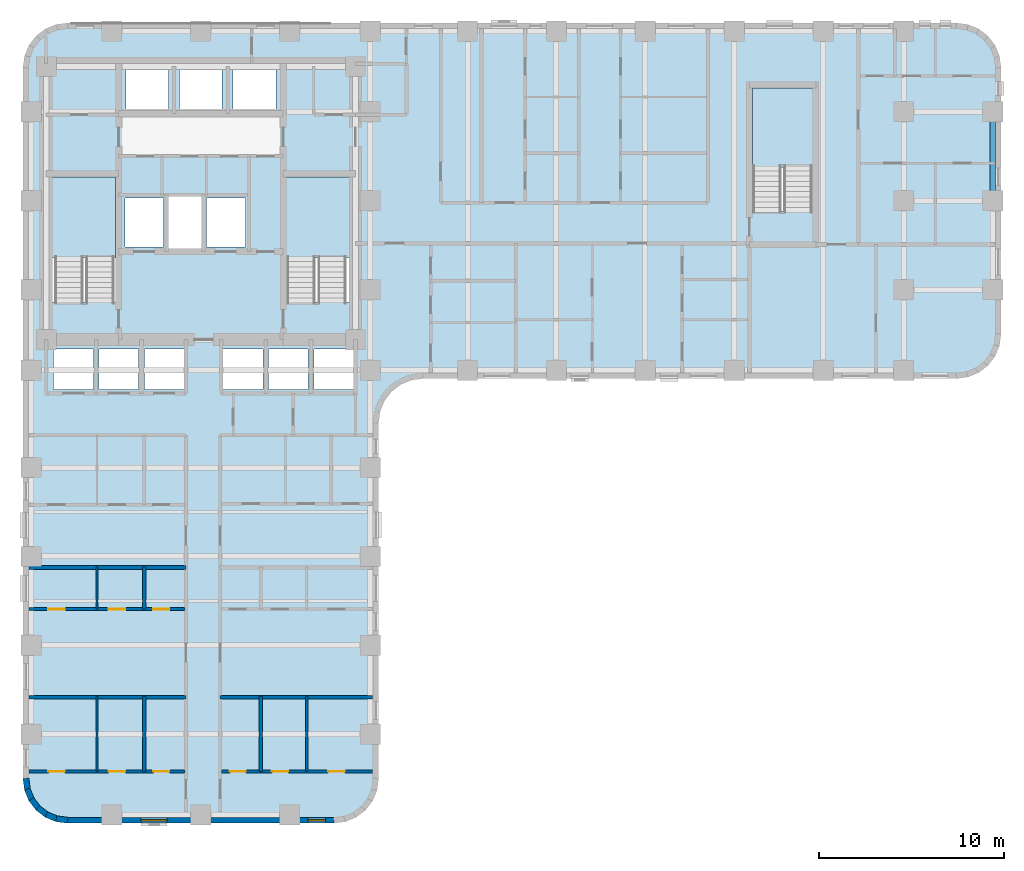
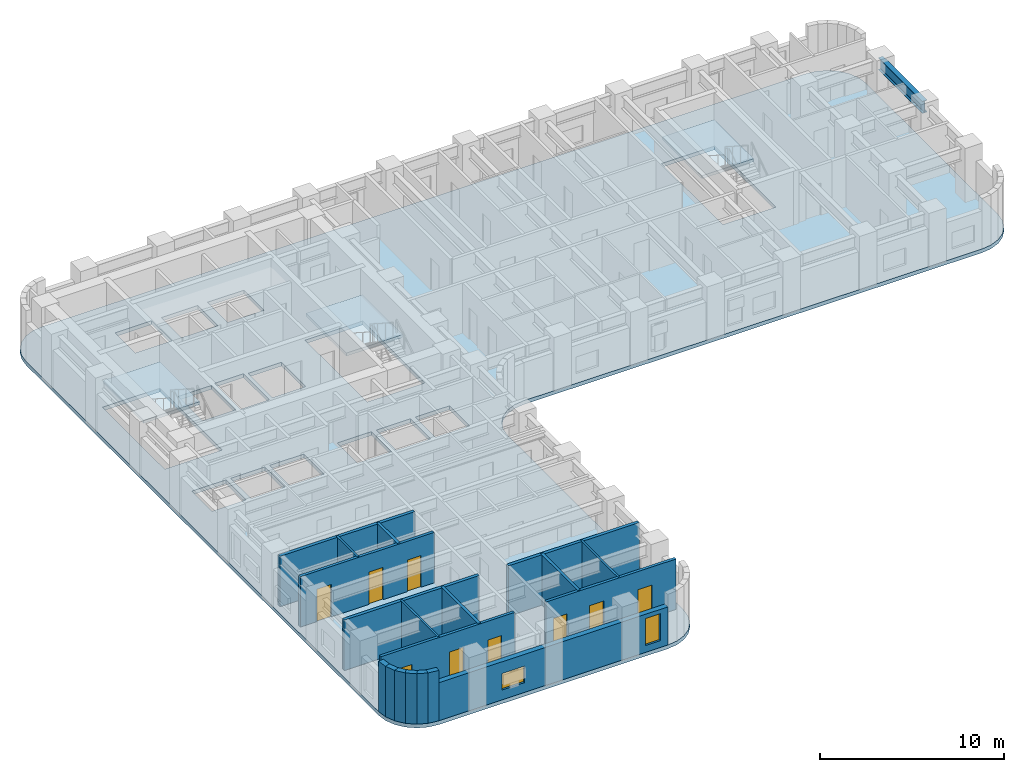
# One storey, part 2 of 11: 19 walls, 9 doors, 4 slabs, 2 windows, 1 beam, 11 openings, 3 elements without a shape of their own.
"""IFC4 building model written with IfcOpenShell, lengths in metres."""

from ifc_helpers import new_model, si_unit, direction, frame, frame_2d, origin, origin_2d, place, context, subcontext, project, spatial, polyline, rectangle, i_section, outline, extrude, material, layer, layer_set, material_profile, profile_set, type_object, element, fill, aggregate, save


model = new_model("IFC4")

# Units and contexts
model_context = context("Model", 3, precision=1e-05, world=origin(), true_north=direction((0.0, 1.0)))
body_context = subcontext(model_context, "Body", "Model", "MODEL_VIEW")
ifc_project = project(units=[si_unit("LENGTHUNIT", "METRE"), si_unit("AREAUNIT", "SQUARE_METRE"), si_unit("VOLUMEUNIT", "CUBIC_METRE"), si_unit("PLANEANGLEUNIT", "RADIAN"), si_unit("MASSUNIT", "GRAM", prefix="KILO")], contexts=[model_context])

# Site, building, storey
site_placement = place(None, origin())
site = spatial("IfcSite", under=ifc_project, at=site_placement, CompositionType="ELEMENT")
building_placement = place(site_placement, origin())
building = spatial("IfcBuilding", under=site, at=building_placement, Name="Orvandelia Arch Residences", CompositionType="ELEMENT")
storey_placement = place(building_placement, frame((0.0, 0.0, 25.0)))
storey = spatial("IfcBuildingStorey", under=building, at=storey_placement, Name="L05", CompositionType="ELEMENT", Elevation=25.0)

# Beam
ifc_material_1 = material(Name="Structural Steel SM355 (355 MPa)", Category="steel")
ifc_material_profile = material_profile(ifc_material_1, i_section(OverallWidth=0.300048828125, OverallDepth=0.800048828125, WebThickness=0.013916015625, FlangeThickness=0.02587890625, FilletRadius=0.02587890625, at=origin_2d()), Name="Structural Steel SM355 (355 MPa)", Category="steel")
ifc_profile_set = profile_set([ifc_material_profile], Name="Structural Steel SM355 (355 MPa)")
beam_type = type_object("IfcBeamType", Name="BM-GRD-H800", PredefinedType="BEAM", material=ifc_profile_set)
beam_placement = place(storey_placement, frame((57.14990234375, 38.39990234375, 2.949951171875), z_axis=(0.0, 1.0, 0.0), x_axis=(-1.0, 0.0, 0.0)))
element("IfcBeam", 1, at=beam_placement, inside=storey, type_object=beam_type, Name="Structural Frame Beam L05-NS-028", PredefinedType="BEAM", context=body_context, shape_type="SweptSolid", body=[
    extrude(i_section(OverallWidth=0.300048828125, OverallDepth=0.800048828125, WebThickness=0.013916015625, FlangeThickness=0.02587890625, FilletRadius=0.02587890625, at=origin_2d()), origin(), (0.0, 0.0, 1.0), 4.800048828125),
])

# Stair, slab
ifc_material_2 = material(Name="Concrete C40/50", Category="concrete")
stair_type = type_object("IfcStairType", Name="STAIR-RC-DOGLEG", PredefinedType="HALF_TURN_STAIR", material=ifc_material_2)
stair_1_placement = place(storey_placement, origin())
stair_1 = element("IfcStair", 2, at=stair_1_placement, inside=storey, type_object=stair_type, Name="L05 Protected Exit Stair ST-1", PredefinedType="HALF_TURN_STAIR")
ifc_layer_1 = layer(ifc_material_2, 0.219970703125, Name="Concrete C40/50", Category="concrete")
ifc_layer_set_1 = layer_set([ifc_layer_1], Name="Concrete C40/50")
slab_type_1 = type_object("IfcSlabType", Name="SLB-LANDING-220", PredefinedType="LANDING", material=ifc_layer_set_1)
slab_1_placement = place(storey_placement, frame((0.0, 0.0, 1.60009765625)))
slab_1 = element("IfcSlab", 3, at=slab_1_placement, type_object=slab_type_1, Name="ST-1 landing 1", PredefinedType="LANDING", context=body_context, shape_type="SweptSolid", body=[
    extrude(outline(polyline([(9.800048828125, 35.31005859375), (9.800048828125, 39.68994140625), (6.260009765625, 39.68994140625), (6.260009765625, 35.31005859375), (9.800048828125, 35.31005859375)])), origin(), (0.0, 0.0, 1.0), 0.199951171875),
])
aggregate(stair_1, [slab_1])

stair_2_placement = place(storey_placement, origin())
stair_2 = element("IfcStair", 4, at=stair_2_placement, inside=storey, type_object=stair_type, Name="L05 Protected Exit Stair ST-2", PredefinedType="HALF_TURN_STAIR")
slab_2_placement = place(storey_placement, frame((0.0, 0.0, 1.60009765625)))
slab_2 = element("IfcSlab", 5, at=slab_2_placement, type_object=slab_type_1, Name="ST-2 landing 1", PredefinedType="LANDING", context=body_context, shape_type="SweptSolid", body=[
    extrude(outline(polyline([(22.5400390625, 35.31005859375), (22.5400390625, 39.68994140625), (19.0, 39.68994140625), (19.0, 35.31005859375), (22.5400390625, 35.31005859375)])), origin(), (0.0, 0.0, 1.0), 0.199951171875),
])
aggregate(stair_2, [slab_2])

stair_3_placement = place(storey_placement, origin())
stair_3 = element("IfcStair", 6, at=stair_3_placement, inside=storey, type_object=stair_type, Name="L05 East Wing Exit Stair ST-3", PredefinedType="HALF_TURN_STAIR")
slab_3_placement = place(storey_placement, frame((0.0, 0.0, 1.60009765625)))
slab_3 = element("IfcSlab", 7, at=slab_3_placement, type_object=slab_type_1, Name="ST-3 landing 1", PredefinedType="LANDING", context=body_context, shape_type="SweptSolid", body=[
    extrude(outline(polyline([(47.43994140625, 40.2099609375), (47.43994140625, 44.5), (44.179931640625, 44.5), (44.179931640625, 40.2099609375), (47.43994140625, 40.2099609375)])), origin(), (0.0, 0.0, 1.0), 0.199951171875),
])
aggregate(stair_3, [slab_3])

# Slab
ifc_layer_2 = layer(ifc_material_2, 0.25, Name="Concrete C40/50", Category="concrete")
ifc_layer_set_2 = layer_set([ifc_layer_2], Name="Concrete C40/50")
slab_type_2 = type_object("IfcSlabType", Name="SLB-TWR-250", PredefinedType="FLOOR", material=ifc_layer_set_2)
slab_4_placement = place(storey_placement, frame((0.0, 0.0, -0.25)))
element("IfcSlab", 8, at=slab_4_placement, inside=storey, type_object=slab_type_2, Name="Structural Floor Slab L05-1", PredefinedType="FLOOR", context=body_context, shape_type="SweptSolid", body=[
    extrude(outline(polyline([(4.800048828125, 7.199951171875), (4.8818359375, 6.578857421875), (5.12158203125, 6.0), (5.5029296875, 5.5029296875), (6.0, 5.12158203125), (6.578857421875, 4.8818359375), (7.199951171875, 4.800048828125), (21.60009765625, 4.800048828125), (22.22119140625, 4.8818359375), (22.800048828125, 5.12158203125), (23.297119140625, 5.5029296875), (23.678466796875, 6.0), (23.918212890625, 6.578857421875), (24.0, 7.199951171875), (24.0, 26.39990234375), (24.081787109375, 27.021240234375), (24.321533203125, 27.60009765625), (24.702880859375, 28.09716796875), (25.199951171875, 28.478515625), (25.77880859375, 28.71826171875), (26.39990234375, 28.800048828125), (55.199951171875, 28.800048828125), (55.8212890625, 28.8818359375), (56.39990234375, 29.12158203125), (56.897216796875, 29.5029296875), (57.278564453125, 30.0), (57.518310546875, 30.578857421875), (57.60009765625, 31.199951171875), (57.60009765625, 45.60009765625), (57.518310546875, 46.22119140625), (57.278564453125, 46.800048828125), (56.897216796875, 47.297119140625), (56.39990234375, 47.678466796875), (55.8212890625, 47.918212890625), (55.199951171875, 48.0), (7.199951171875, 48.0), (6.578857421875, 47.918212890625), (6.0, 47.678466796875), (5.5029296875, 47.297119140625), (5.12158203125, 46.800048828125), (4.8818359375, 46.22119140625), (4.800048828125, 45.60009765625), (4.800048828125, 7.199951171875)]), holes=[polyline([(6.219970703125, 32.949951171875), (9.840087890625, 32.949951171875), (9.840087890625, 39.72998046875), (6.219970703125, 39.72998046875), (6.219970703125, 32.949951171875)]), polyline([(18.9599609375, 32.949951171875), (22.580078125, 32.949951171875), (22.580078125, 39.72998046875), (18.9599609375, 39.72998046875), (18.9599609375, 32.949951171875)]), polyline([(44.139892578125, 37.85009765625), (47.47998046875, 37.85009765625), (47.47998046875, 44.5400390625), (44.139892578125, 44.5400390625), (44.139892578125, 37.85009765625)]), polyline([(12.639892578125, 35.81005859375), (14.4599609375, 35.81005859375), (14.4599609375, 38.639892578125), (12.639892578125, 38.639892578125), (12.639892578125, 35.81005859375)]), polyline([(10.300048828125, 35.89990234375), (12.39990234375, 35.89990234375), (12.39990234375, 38.550048828125), (10.300048828125, 38.550048828125), (10.300048828125, 35.89990234375)]), polyline([(14.699951171875, 35.89990234375), (16.800048828125, 35.89990234375), (16.800048828125, 38.550048828125), (14.699951171875, 38.550048828125), (14.699951171875, 35.89990234375)]), polyline([(10.35009765625, 43.300048828125), (12.64990234375, 43.300048828125), (12.64990234375, 45.5), (10.35009765625, 45.5), (10.35009765625, 43.300048828125)]), polyline([(13.25, 43.300048828125), (15.550048828125, 43.300048828125), (15.550048828125, 45.5), (13.25, 45.5), (13.25, 43.300048828125)]), polyline([(16.14990234375, 43.300048828125), (18.449951171875, 43.300048828125), (18.449951171875, 45.5), (16.14990234375, 45.5), (16.14990234375, 43.300048828125)]), polyline([(6.449951171875, 28.199951171875), (8.60009765625, 28.199951171875), (8.60009765625, 30.39990234375), (6.449951171875, 30.39990234375), (6.449951171875, 28.199951171875)]), polyline([(8.89990234375, 28.199951171875), (11.050048828125, 28.199951171875), (11.050048828125, 30.39990234375), (8.89990234375, 30.39990234375), (8.89990234375, 28.199951171875)]), polyline([(11.35009765625, 28.199951171875), (13.5, 28.199951171875), (13.5, 30.39990234375), (11.35009765625, 30.39990234375), (11.35009765625, 28.199951171875)]), polyline([(15.60009765625, 28.199951171875), (17.75, 28.199951171875), (17.75, 30.39990234375), (15.60009765625, 30.39990234375), (15.60009765625, 28.199951171875)]), polyline([(18.050048828125, 28.199951171875), (20.199951171875, 28.199951171875), (20.199951171875, 30.39990234375), (18.050048828125, 30.39990234375), (18.050048828125, 28.199951171875)]), polyline([(20.5, 28.199951171875), (22.64990234375, 28.199951171875), (22.64990234375, 30.39990234375), (20.5, 30.39990234375), (20.5, 28.199951171875)])]), origin(), (0.0, 0.0, 1.0), 0.25),
])

# Walls
ifc_layer_3 = layer(ifc_material_2, 0.199951171875, Name="Concrete C40/50", Category="concrete")
ifc_layer_set_3 = layer_set([ifc_layer_3], Name="Concrete C40/50")
wall_type_1 = type_object("IfcWallType", Name="WL-DEM-200", PredefinedType="SOLIDWALL", material=ifc_layer_set_3)
for number, where, z_axis, x_axis, name in (
    (9, (5.1201171875, 11.60009765625, 0.0), (0.0, 0.0, 1.0), (1.0, 0.0, 0.0), "Interior Partition Wall WL-L05-DEM-WL-116"),
    (10, (5.1201171875, 18.60009765625, 0.0), (0.0, 0.0, 1.0), (1.0, 0.0, 0.0), "Interior Partition Wall WL-L05-DEM-WL-186"),
):
    element("IfcWall", number, at=place(storey_placement, frame(where, z_axis=z_axis, x_axis=x_axis)), inside=storey, type_object=wall_type_1, Name=name, PredefinedType="SOLIDWALL", context=body_context, shape_type="SweptSolid", body=[
        extrude(rectangle(XDim=8.47998046875, YDim=0.199951171875, at=frame_2d((4.239990234375, 0.0))), origin(), (0.0, 0.0, 1.0), 3.35009765625),
    ])
wall_1_placement = place(storey_placement, frame((15.449951171875, 11.60009765625, 0.0), z_axis=(0.0, 0.0, 1.0), x_axis=(1.0, 0.0, 0.0)))
element("IfcWall", 11, at=wall_1_placement, inside=storey, type_object=wall_type_1, Name="Interior Partition Wall WL-L05-DEM-WR-116", PredefinedType="SOLIDWALL", context=body_context, shape_type="SweptSolid", body=[
    extrude(rectangle(XDim=8.22998046875, YDim=0.199951171875, at=frame_2d((4.114990234375, 0.0))), origin(), (0.0, 0.0, 1.0), 3.35009765625),
])

# Wall, openings, windows
ifc_material_3 = material(Name="Precast concrete C40/50", Category="concrete")
ifc_layer_4 = layer(ifc_material_3, 0.320068359375, Name="Precast concrete C40/50", Category="concrete")
ifc_layer_set_4 = layer_set([ifc_layer_4], Name="Precast concrete C40/50")
wall_type_2 = type_object("IfcWallType", Name="WL-EXT-STONE-320", PredefinedType="STANDARD", material=ifc_layer_set_4)
wall_2_placement = place(storey_placement, frame((21.60009765625, 4.9599609375, 0.0), z_axis=(0.0, 0.0, 1.0), x_axis=(-1.0, 0.0, 0.0)))
wall_2 = element("IfcWall", 12, at=wall_2_placement, inside=storey, type_object=wall_type_2, Name="Coral-Limestone Precast Facade Wall L05-035", PredefinedType="STANDARD", context=body_context, shape_type="SweptSolid", body=[
    extrude(rectangle(XDim=14.400146484375, YDim=0.320068359375, at=frame_2d((7.2001953125, 0.0))), origin(), (0.0, 0.0, 1.0), 2.530029296875),
])
opening_1_placement = place(wall_2_placement, frame((9.014892578125, 0.0, 0.64990234375)))
opening_1 = element("IfcOpeningElement", 13, at=opening_1_placement, cuts=wall_2, Name="Opening W10", PredefinedType="OPENING", context=body_context, shape_type="SweptSolid", body=[
    extrude(rectangle(XDim=1.39990234375, YDim=1.10009765625, at=frame_2d((0.699951171875, 0.550048828125))), frame((0.0, 0.169921875, 0.0), z_axis=(0.0, -1.0, 0.0), x_axis=(1.0, 0.0, 0.0)), (0.0, 0.0, 1.0), 0.340087890625),
])
opening_2_placement = place(wall_2_placement, frame((0.469970703125, 0.0, 0.449951171875)))
opening_2 = element("IfcOpeningElement", 14, at=opening_2_placement, cuts=wall_2, Name="Opening W4", PredefinedType="OPENING", context=body_context, shape_type="SweptSolid", body=[
    extrude(rectangle(XDim=0.949951171875, YDim=1.800048828125, at=frame_2d((0.47509765625, 0.89990234375))), frame((0.0, 0.169921875, 0.0), z_axis=(0.0, -1.0, 0.0), x_axis=(1.0, 0.0, 0.0)), (0.0, 0.0, 1.0), 0.340087890625),
])
ifc_material_4 = material(Name="Tempered Low-E Insulated Glazing", Category="glass")
window_type_1 = type_object("IfcWindowType", Name="WIN-CLR-1400x1100", PartitioningType="SINGLE_PANEL", PredefinedType="WINDOW", material=ifc_material_4)
window_1_placement = place(opening_1_placement, origin())
window_1 = element("IfcWindow", 15, at=window_1_placement, inside=storey, type_object=window_type_1, Name="Recessed Punched Window L05-027", OverallHeight=1.10009765625, OverallWidth=1.39990234375, PartitioningType="SINGLE_PANEL", PredefinedType="WINDOW", context=body_context, shape_type="SweptSolid", body=[
    extrude(rectangle(XDim=1.39990234375, YDim=1.10009765625, at=frame_2d((0.699951171875, 0.550048828125))), frame((0.0, 0.030029296875, 0.0), z_axis=(0.0, -1.0, 0.0), x_axis=(1.0, 0.0, 0.0)), (0.0, 0.0, 1.0), 0.06005859375),
])
fill(opening_1, window_1)
window_type_2 = type_object("IfcWindowType", Name="WIN-RES-0950x1800", PartitioningType="SINGLE_PANEL", PredefinedType="WINDOW", material=ifc_material_4)
window_2_placement = place(opening_2_placement, origin())
window_2 = element("IfcWindow", 16, at=window_2_placement, inside=storey, type_object=window_type_2, Name="Recessed Punched Window L05-028", OverallHeight=1.800048828125, OverallWidth=0.949951171875, PartitioningType="SINGLE_PANEL", PredefinedType="WINDOW", context=body_context, shape_type="SweptSolid", body=[
    extrude(rectangle(XDim=0.949951171875, YDim=1.800048828125, at=frame_2d((0.47509765625, 0.89990234375))), frame((0.0, 0.030029296875, 0.0), z_axis=(0.0, -1.0, 0.0), x_axis=(1.0, 0.0, 0.0)), (0.0, 0.0, 1.0), 0.06005859375),
])
fill(opening_2, window_2)

# Walls
wall_3_placement = place(storey_placement, frame((7.220947265625, 4.95849609375, 0.0), z_axis=(0.0, 0.0, 1.0), x_axis=(-0.991447664465, 0.130504898859, 0.0)))
element("IfcWall", 17, at=wall_3_placement, inside=storey, type_object=wall_type_2, Name="Coral-Limestone Precast Facade Wall L05-036", PredefinedType="STANDARD", context=body_context, shape_type="SweptSolid", body=[
    extrude(rectangle(XDim=0.626708984375, YDim=0.320068359375, at=frame_2d((0.3134765625, 0.0))), origin(), (0.0, 0.0, 1.0), 3.35009765625),
])
wall_4_placement = place(storey_placement, frame((6.639892578125, 5.029541015625, 0.0), z_axis=(0.0, 0.0, 1.0), x_axis=(-0.923836271867, 0.382787856107, 0.0)))
element("IfcWall", 18, at=wall_4_placement, inside=storey, type_object=wall_type_2, Name="Coral-Limestone Precast Facade Wall L05-037", PredefinedType="STANDARD", context=body_context, shape_type="SweptSolid", body=[
    extrude(rectangle(XDim=0.626220703125, YDim=0.320068359375, at=frame_2d((0.31298828125, 0.0))), origin(), (0.0, 0.0, 1.0), 3.35009765625),
])
for number, where, z_axis, x_axis, name in (
    (19, (6.097412109375, 5.248291015625, 0.0), (0.0, 0.0, 1.0), (-0.7932174212, 0.608938521285, 0.0), "Coral-Limestone Precast Facade Wall L05-038"),
    (20, (5.6298828125, 5.600341796875, 0.0), (0.0, 0.0, 1.0), (-0.608938521285, 0.7932174212, 0.0), "Coral-Limestone Precast Facade Wall L05-039"),
):
    element("IfcWall", number, at=place(storey_placement, frame(where, z_axis=z_axis, x_axis=x_axis)), inside=storey, type_object=wall_type_2, Name=name, PredefinedType="STANDARD", context=body_context, shape_type="SweptSolid", body=[
        extrude(rectangle(XDim=0.626708984375, YDim=0.320068359375, at=frame_2d((0.3134765625, 0.0))), origin(), (0.0, 0.0, 1.0), 3.35009765625),
    ])
wall_5_placement = place(storey_placement, frame((5.269287109375, 6.061279296875, 0.0), z_axis=(0.0, 0.0, 1.0), x_axis=(-0.382787856107, 0.923836271867, 0.0)))
element("IfcWall", 21, at=wall_5_placement, inside=storey, type_object=wall_type_2, Name="Coral-Limestone Precast Facade Wall L05-040", PredefinedType="STANDARD", context=body_context, shape_type="SweptSolid", body=[
    extrude(rectangle(XDim=0.626220703125, YDim=0.320068359375, at=frame_2d((0.31298828125, 0.0))), origin(), (0.0, 0.0, 1.0), 3.35009765625),
])
wall_6_placement = place(storey_placement, frame((5.040283203125, 6.599609375, 0.0), z_axis=(0.0, 0.0, 1.0), x_axis=(-0.130504898859, 0.991447664465, 0.0)))
element("IfcWall", 22, at=wall_6_placement, inside=storey, type_object=wall_type_2, Name="Coral-Limestone Precast Facade Wall L05-041", PredefinedType="STANDARD", context=body_context, shape_type="SweptSolid", body=[
    extrude(rectangle(XDim=0.626708984375, YDim=0.320068359375, at=frame_2d((0.3134765625, 0.0))), origin(), (0.0, 0.0, 1.0), 3.35009765625),
])
ifc_material_5 = material(Name="Lightweight Gypsum Stud Partition")
ifc_layer_5 = layer(ifc_material_5, 0.1201171875, Name="Lightweight Gypsum Stud Partition")
ifc_layer_set_5 = layer_set([ifc_layer_5], Name="Lightweight Gypsum Stud Partition")
wall_type_3 = type_object("IfcWallType", Name="WL-PART-120", PredefinedType="PARTITIONING", material=ifc_layer_set_5)
wall_7_placement = place(storey_placement, frame((8.791015625, 7.590087890625, 0.0), z_axis=(0.0, 0.0, 1.0), x_axis=(0.0, 1.0, 0.0)))
element("IfcWall", 23, at=wall_7_placement, inside=storey, type_object=wall_type_3, Name="Interior Partition Wall WL-L05-U01-V1", PredefinedType="PARTITIONING", context=body_context, shape_type="SweptSolid", body=[
    extrude(rectangle(XDim=4.0498046875, YDim=0.1201171875, at=frame_2d((2.02490234375, 0.0))), origin(), (0.0, 0.0, 1.0), 3.35009765625),
])
wall_8_placement = place(storey_placement, frame((8.791015625, 16.360107421875, 0.0), z_axis=(0.0, 0.0, 1.0), x_axis=(0.0, 1.0, 0.0)))
element("IfcWall", 24, at=wall_8_placement, inside=storey, type_object=wall_type_3, Name="Interior Partition Wall WL-L05-U02-V1", PredefinedType="PARTITIONING", context=body_context, shape_type="SweptSolid", body=[
    extrude(rectangle(XDim=2.27978515625, YDim=0.1201171875, at=frame_2d((1.139892578125, 0.0))), origin(), (0.0, 0.0, 1.0), 3.35009765625),
])
wall_9_placement = place(storey_placement, frame((20.118896484375, 7.590087890625, 0.0), z_axis=(0.0, 0.0, 1.0), x_axis=(0.0, 1.0, 0.0)))
element("IfcWall", 25, at=wall_9_placement, inside=storey, type_object=wall_type_3, Name="Interior Partition Wall WL-L05-U04-V2", PredefinedType="PARTITIONING", context=body_context, shape_type="SweptSolid", body=[
    extrude(rectangle(XDim=4.0498046875, YDim=0.1201171875, at=frame_2d((2.02490234375, 0.0))), origin(), (0.0, 0.0, 1.0), 3.35009765625),
])

# Wall, openings, doors
ifc_material_6 = material(Name="Moisture-Resistant Plumbing Wall")
ifc_layer_6 = layer(ifc_material_6, 0.179931640625, Name="Moisture-Resistant Plumbing Wall")
ifc_layer_set_6 = layer_set([ifc_layer_6], Name="Moisture-Resistant Plumbing Wall")
wall_type_4 = type_object("IfcWallType", Name="WL-WET-180", PredefinedType="PLUMBINGWALL", material=ifc_layer_set_6)
wall_10_placement = place(storey_placement, frame((5.1201171875, 7.590087890625, 0.0), z_axis=(0.0, 0.0, 1.0), x_axis=(1.0, 0.0, 0.0)))
wall_10 = element("IfcWall", 26, at=wall_10_placement, inside=storey, type_object=wall_type_4, Name="Interior Partition Wall WL-L05-U01-HZ", PredefinedType="PLUMBINGWALL", context=body_context, shape_type="SweptSolid", body=[
    extrude(rectangle(XDim=8.419921875, YDim=0.179931640625, at=frame_2d((4.2099609375, 0.0))), origin(), (0.0, 0.0, 1.0), 3.35009765625),
])
opening_3_placement = place(wall_10_placement, frame((1.04638671875, 0.0, 0.0)))
opening_3 = element("IfcOpeningElement", 27, at=opening_3_placement, cuts=wall_10, Name="Opening D3", PredefinedType="OPENING", context=body_context, shape_type="SweptSolid", body=[
    extrude(rectangle(XDim=0.89990234375, YDim=2.14990234375, at=frame_2d((0.449951171875, 1.074951171875))), frame((0.0, 0.10009765625, 0.0), z_axis=(0.0, -1.0, 0.0), x_axis=(1.0, 0.0, 0.0)), (0.0, 0.0, 1.0), 0.199951171875),
])
opening_4_placement = place(wall_10_placement, frame((4.307373046875, 0.0, 0.0)))
opening_4 = element("IfcOpeningElement", 28, at=opening_4_placement, cuts=wall_10, Name="Opening D3", PredefinedType="OPENING", context=body_context, shape_type="SweptSolid", body=[
    extrude(rectangle(XDim=0.89990234375, YDim=2.14990234375, at=frame_2d((0.449951171875, 1.074951171875))), frame((0.0, 0.10009765625, 0.0), z_axis=(0.0, -1.0, 0.0), x_axis=(1.0, 0.0, 0.0)), (0.0, 0.0, 1.0), 0.199951171875),
])
opening_5_placement = place(wall_10_placement, frame((6.723388671875, 0.0, 0.0)))
opening_5 = element("IfcOpeningElement", 29, at=opening_5_placement, cuts=wall_10, Name="Opening D4", PredefinedType="OPENING", context=body_context, shape_type="SweptSolid", body=[
    extrude(rectangle(XDim=0.860107421875, YDim=2.10009765625, at=frame_2d((0.43017578125, 1.050048828125))), frame((0.0, 0.10009765625, 0.0), z_axis=(0.0, -1.0, 0.0), x_axis=(1.0, 0.0, 0.0)), (0.0, 0.0, 1.0), 0.199951171875),
])
ifc_material_7 = material(Name="Engineered Timber Flush Door", Category="wood")
door_type_1 = type_object("IfcDoorType", Name="DR-INT-900", OperationType="NOTDEFINED", PredefinedType="DOOR", material=ifc_material_7)
door_1_placement = place(opening_3_placement, origin())
door_1 = element("IfcDoor", 30, at=door_1_placement, inside=storey, type_object=door_type_1, Name="DR-L05-U01-BD1", OperationType="SINGLE_SWING_LEFT", OverallHeight=2.14990234375, OverallWidth=0.89990234375, PredefinedType="DOOR", context=body_context, shape_type="SweptSolid", body=[
    extrude(rectangle(XDim=0.89990234375, YDim=2.14990234375, at=frame_2d((0.449951171875, 1.074951171875))), frame((0.0, 0.02490234375, 0.0), z_axis=(0.0, -1.0, 0.0), x_axis=(1.0, 0.0, 0.0)), (0.0, 0.0, 1.0), 0.050048828125),
])
fill(opening_3, door_1)
door_2_placement = place(opening_4_placement, origin())
door_2 = element("IfcDoor", 31, at=door_2_placement, inside=storey, type_object=door_type_1, Name="DR-L05-U01-KIT", OperationType="SINGLE_SWING_RIGHT", OverallHeight=2.14990234375, OverallWidth=0.89990234375, PredefinedType="DOOR", context=body_context, shape_type="SweptSolid", body=[
    extrude(rectangle(XDim=0.89990234375, YDim=2.14990234375, at=frame_2d((0.449951171875, 1.074951171875))), frame((0.0, 0.02490234375, 0.0), z_axis=(0.0, -1.0, 0.0), x_axis=(1.0, 0.0, 0.0)), (0.0, 0.0, 1.0), 0.050048828125),
])
fill(opening_4, door_2)
ifc_material_8 = material(Name="Moisture-Sealed Timber Bathroom Door", Category="wood")
door_type_2 = type_object("IfcDoorType", Name="DR-WET-900", OperationType="NOTDEFINED", PredefinedType="DOOR", material=ifc_material_8)
door_3_placement = place(opening_5_placement, origin())
door_3 = element("IfcDoor", 32, at=door_3_placement, inside=storey, type_object=door_type_2, Name="DR-L05-U01-BTH", OperationType="SINGLE_SWING_LEFT", OverallHeight=2.10009765625, OverallWidth=0.860107421875, PredefinedType="DOOR", context=body_context, shape_type="SweptSolid", body=[
    extrude(rectangle(XDim=0.860107421875, YDim=2.10009765625, at=frame_2d((0.43017578125, 1.050048828125))), frame((0.0, 0.02490234375, 0.0), z_axis=(0.0, -1.0, 0.0), x_axis=(1.0, 0.0, 0.0)), (0.0, 0.0, 1.0), 0.050048828125),
])
fill(opening_5, door_3)

# Wall
wall_11_placement = place(storey_placement, frame((11.35498046875, 7.590087890625, 0.0), z_axis=(0.0, 0.0, 1.0), x_axis=(0.0, 1.0, 0.0)))
element("IfcWall", 33, at=wall_11_placement, inside=storey, type_object=wall_type_4, Name="Interior Partition Wall WL-L05-U01-V2", PredefinedType="PLUMBINGWALL", context=body_context, shape_type="SweptSolid", body=[
    extrude(rectangle(XDim=4.0498046875, YDim=0.179931640625, at=frame_2d((2.02490234375, 0.0))), origin(), (0.0, 0.0, 1.0), 3.35009765625),
])

# Wall, openings, doors
wall_12_placement = place(storey_placement, frame((5.1201171875, 16.360107421875, 0.0), z_axis=(0.0, 0.0, 1.0), x_axis=(1.0, 0.0, 0.0)))
wall_12 = element("IfcWall", 34, at=wall_12_placement, inside=storey, type_object=wall_type_4, Name="Interior Partition Wall WL-L05-U02-HZ", PredefinedType="PLUMBINGWALL", context=body_context, shape_type="SweptSolid", body=[
    extrude(rectangle(XDim=8.419921875, YDim=0.179931640625, at=frame_2d((4.2099609375, 0.0))), origin(), (0.0, 0.0, 1.0), 3.35009765625),
])
opening_6_placement = place(wall_12_placement, frame((1.04638671875, 0.0, 0.0)))
opening_6 = element("IfcOpeningElement", 35, at=opening_6_placement, cuts=wall_12, Name="Opening D3", PredefinedType="OPENING", context=body_context, shape_type="SweptSolid", body=[
    extrude(rectangle(XDim=0.89990234375, YDim=2.14990234375, at=frame_2d((0.449951171875, 1.074951171875))), frame((0.0, 0.10009765625, 0.0), z_axis=(0.0, -1.0, 0.0), x_axis=(1.0, 0.0, 0.0)), (0.0, 0.0, 1.0), 0.199951171875),
])
opening_7_placement = place(wall_12_placement, frame((4.307373046875, 0.0, 0.0)))
opening_7 = element("IfcOpeningElement", 36, at=opening_7_placement, cuts=wall_12, Name="Opening D3", PredefinedType="OPENING", context=body_context, shape_type="SweptSolid", body=[
    extrude(rectangle(XDim=0.89990234375, YDim=2.14990234375, at=frame_2d((0.449951171875, 1.074951171875))), frame((0.0, 0.10009765625, 0.0), z_axis=(0.0, -1.0, 0.0), x_axis=(1.0, 0.0, 0.0)), (0.0, 0.0, 1.0), 0.199951171875),
])
opening_8_placement = place(wall_12_placement, frame((6.723388671875, 0.0, 0.0)))
opening_8 = element("IfcOpeningElement", 37, at=opening_8_placement, cuts=wall_12, Name="Opening D4", PredefinedType="OPENING", context=body_context, shape_type="SweptSolid", body=[
    extrude(rectangle(XDim=0.860107421875, YDim=2.10009765625, at=frame_2d((0.43017578125, 1.050048828125))), frame((0.0, 0.10009765625, 0.0), z_axis=(0.0, -1.0, 0.0), x_axis=(1.0, 0.0, 0.0)), (0.0, 0.0, 1.0), 0.199951171875),
])
door_4_placement = place(opening_6_placement, origin())
door_4 = element("IfcDoor", 38, at=door_4_placement, inside=storey, type_object=door_type_1, Name="DR-L05-U02-BD1", OperationType="SINGLE_SWING_RIGHT", OverallHeight=2.14990234375, OverallWidth=0.89990234375, PredefinedType="DOOR", context=body_context, shape_type="SweptSolid", body=[
    extrude(rectangle(XDim=0.89990234375, YDim=2.14990234375, at=frame_2d((0.449951171875, 1.074951171875))), frame((0.0, 0.02490234375, 0.0), z_axis=(0.0, -1.0, 0.0), x_axis=(1.0, 0.0, 0.0)), (0.0, 0.0, 1.0), 0.050048828125),
])
fill(opening_6, door_4)
door_5_placement = place(opening_7_placement, origin())
door_5 = element("IfcDoor", 39, at=door_5_placement, inside=storey, type_object=door_type_1, Name="DR-L05-U02-KIT", OperationType="SINGLE_SWING_LEFT", OverallHeight=2.14990234375, OverallWidth=0.89990234375, PredefinedType="DOOR", context=body_context, shape_type="SweptSolid", body=[
    extrude(rectangle(XDim=0.89990234375, YDim=2.14990234375, at=frame_2d((0.449951171875, 1.074951171875))), frame((0.0, 0.02490234375, 0.0), z_axis=(0.0, -1.0, 0.0), x_axis=(1.0, 0.0, 0.0)), (0.0, 0.0, 1.0), 0.050048828125),
])
fill(opening_7, door_5)
door_6_placement = place(opening_8_placement, origin())
door_6 = element("IfcDoor", 40, at=door_6_placement, inside=storey, type_object=door_type_2, Name="DR-L05-U02-BTH", OperationType="SINGLE_SWING_RIGHT", OverallHeight=2.10009765625, OverallWidth=0.860107421875, PredefinedType="DOOR", context=body_context, shape_type="SweptSolid", body=[
    extrude(rectangle(XDim=0.860107421875, YDim=2.10009765625, at=frame_2d((0.43017578125, 1.050048828125))), frame((0.0, 0.02490234375, 0.0), z_axis=(0.0, -1.0, 0.0), x_axis=(1.0, 0.0, 0.0)), (0.0, 0.0, 1.0), 0.050048828125),
])
fill(opening_8, door_6)

# Wall
wall_13_placement = place(storey_placement, frame((11.35498046875, 16.360107421875, 0.0), z_axis=(0.0, 0.0, 1.0), x_axis=(0.0, 1.0, 0.0)))
element("IfcWall", 41, at=wall_13_placement, inside=storey, type_object=wall_type_4, Name="Interior Partition Wall WL-L05-U02-V2", PredefinedType="PLUMBINGWALL", context=body_context, shape_type="SweptSolid", body=[
    extrude(rectangle(XDim=2.27978515625, YDim=0.179931640625, at=frame_2d((1.139892578125, 0.0))), origin(), (0.0, 0.0, 1.0), 3.35009765625),
])

# Wall, openings, doors
wall_14_placement = place(storey_placement, frame((15.510009765625, 7.590087890625, 0.0), z_axis=(0.0, 0.0, 1.0), x_axis=(1.0, 0.0, 0.0)))
wall_14 = element("IfcWall", 42, at=wall_14_placement, inside=storey, type_object=wall_type_4, Name="Interior Partition Wall WL-L05-U04-HZ", PredefinedType="PLUMBINGWALL", context=body_context, shape_type="SweptSolid", body=[
    extrude(rectangle(XDim=8.169921875, YDim=0.179931640625, at=frame_2d((4.0849609375, 0.0))), origin(), (0.0, 0.0, 1.0), 3.35009765625),
])
opening_9_placement = place(wall_14_placement, frame((0.458984375, 0.0, 0.0)))
opening_9 = element("IfcOpeningElement", 43, at=opening_9_placement, cuts=wall_14, Name="Opening D4", PredefinedType="OPENING", context=body_context, shape_type="SweptSolid", body=[
    extrude(rectangle(XDim=0.860107421875, YDim=2.10009765625, at=frame_2d((0.43017578125, 1.050048828125))), frame((0.0, 0.10009765625, 0.0), z_axis=(0.0, -1.0, 0.0), x_axis=(1.0, 0.0, 0.0)), (0.0, 0.0, 1.0), 0.199951171875),
])
opening_10_placement = place(wall_14_placement, frame((2.722412109375, 0.0, 0.0)))
opening_10 = element("IfcOpeningElement", 44, at=opening_10_placement, cuts=wall_14, Name="Opening D3", PredefinedType="OPENING", context=body_context, shape_type="SweptSolid", body=[
    extrude(rectangle(XDim=0.89990234375, YDim=2.14990234375, at=frame_2d((0.449951171875, 1.074951171875))), frame((0.0, 0.10009765625, 0.0), z_axis=(0.0, -1.0, 0.0), x_axis=(1.0, 0.0, 0.0)), (0.0, 0.0, 1.0), 0.199951171875),
])
opening_11_placement = place(wall_14_placement, frame((5.76611328125, 0.0, 0.0)))
opening_11 = element("IfcOpeningElement", 45, at=opening_11_placement, cuts=wall_14, Name="Opening D3", PredefinedType="OPENING", context=body_context, shape_type="SweptSolid", body=[
    extrude(rectangle(XDim=0.89990234375, YDim=2.14990234375, at=frame_2d((0.449951171875, 1.074951171875))), frame((0.0, 0.10009765625, 0.0), z_axis=(0.0, -1.0, 0.0), x_axis=(1.0, 0.0, 0.0)), (0.0, 0.0, 1.0), 0.199951171875),
])
door_7_placement = place(opening_10_placement, origin())
door_7 = element("IfcDoor", 46, at=door_7_placement, inside=storey, type_object=door_type_1, Name="DR-L05-U04-KIT", OperationType="SINGLE_SWING_RIGHT", OverallHeight=2.14990234375, OverallWidth=0.89990234375, PredefinedType="DOOR", context=body_context, shape_type="SweptSolid", body=[
    extrude(rectangle(XDim=0.89990234375, YDim=2.14990234375, at=frame_2d((0.449951171875, 1.074951171875))), frame((0.0, 0.02490234375, 0.0), z_axis=(0.0, -1.0, 0.0), x_axis=(1.0, 0.0, 0.0)), (0.0, 0.0, 1.0), 0.050048828125),
])
fill(opening_10, door_7)
door_8_placement = place(opening_11_placement, origin())
door_8 = element("IfcDoor", 47, at=door_8_placement, inside=storey, type_object=door_type_1, Name="DR-L05-U04-BD1", OperationType="SINGLE_SWING_LEFT", OverallHeight=2.14990234375, OverallWidth=0.89990234375, PredefinedType="DOOR", context=body_context, shape_type="SweptSolid", body=[
    extrude(rectangle(XDim=0.89990234375, YDim=2.14990234375, at=frame_2d((0.449951171875, 1.074951171875))), frame((0.0, 0.02490234375, 0.0), z_axis=(0.0, -1.0, 0.0), x_axis=(1.0, 0.0, 0.0)), (0.0, 0.0, 1.0), 0.050048828125),
])
fill(opening_11, door_8)
door_9_placement = place(opening_9_placement, origin())
door_9 = element("IfcDoor", 48, at=door_9_placement, inside=storey, type_object=door_type_2, Name="DR-L05-U04-BTH", OperationType="SINGLE_SWING_LEFT", OverallHeight=2.10009765625, OverallWidth=0.860107421875, PredefinedType="DOOR", context=body_context, shape_type="SweptSolid", body=[
    extrude(rectangle(XDim=0.860107421875, YDim=2.10009765625, at=frame_2d((0.43017578125, 1.050048828125))), frame((0.0, 0.02490234375, 0.0), z_axis=(0.0, -1.0, 0.0), x_axis=(1.0, 0.0, 0.0)), (0.0, 0.0, 1.0), 0.050048828125),
])
fill(opening_9, door_9)

# Wall
wall_15_placement = place(storey_placement, frame((17.6298828125, 7.590087890625, 0.0), z_axis=(0.0, 0.0, 1.0), x_axis=(0.0, 1.0, 0.0)))
element("IfcWall", 49, at=wall_15_placement, inside=storey, type_object=wall_type_4, Name="Interior Partition Wall WL-L05-U04-V1", PredefinedType="PLUMBINGWALL", context=body_context, shape_type="SweptSolid", body=[
    extrude(rectangle(XDim=4.0498046875, YDim=0.179931640625, at=frame_2d((2.02490234375, 0.0))), origin(), (0.0, 0.0, 1.0), 3.35009765625),
])

save(model, "model.ifc")
